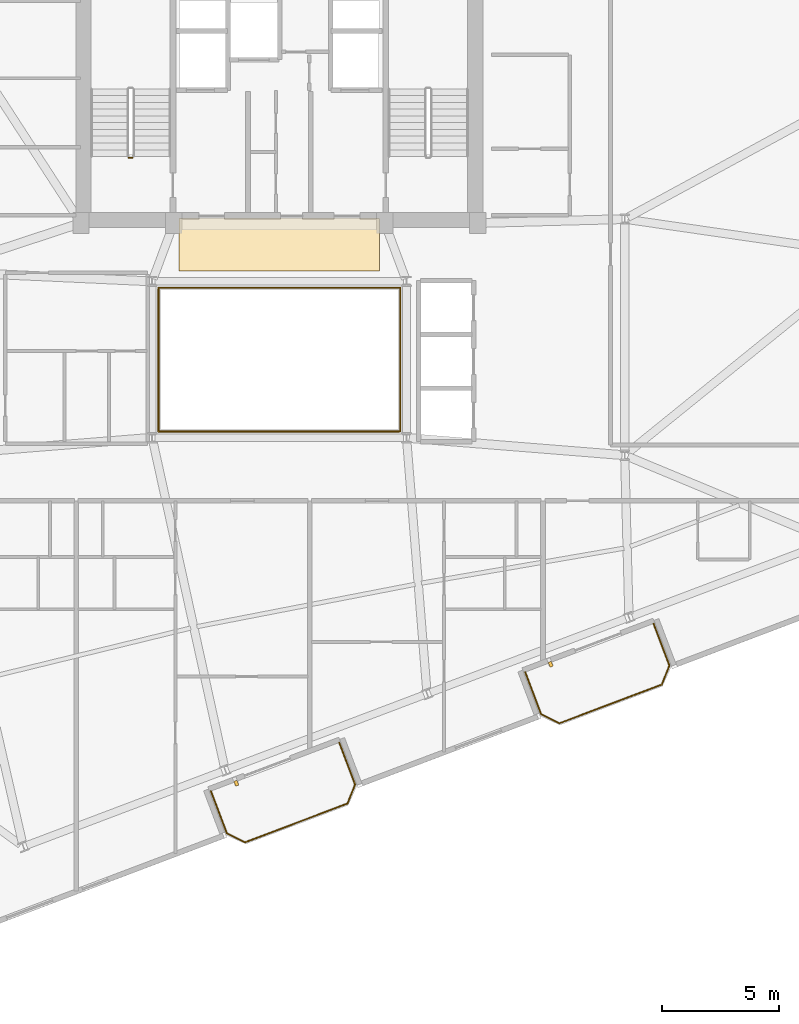
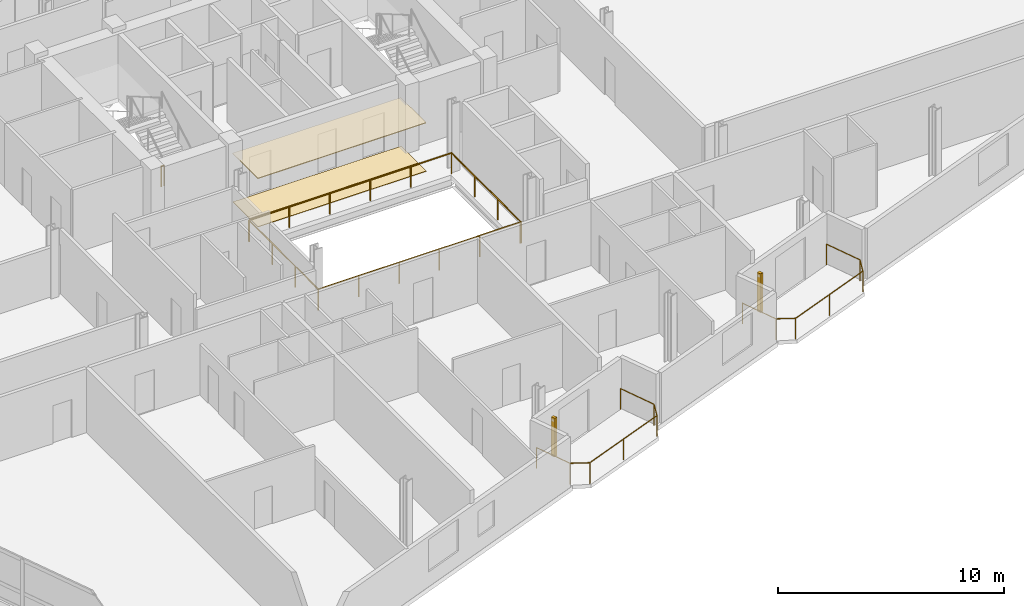
# One storey, part 19 of 20: 5 railings, 2 coverings, 2 shading devices.
"""IFC4 building model written with IfcOpenShell, lengths in metres."""

from ifc_helpers import new_model, si_unit, direction, frame, origin, origin_2d, place, context, subcontext, project, spatial, rectangle, circle, extrude, source, transform, mapped, material, layer, layer_set, type_object, element, save


model = new_model("IFC4")

# Units and contexts
model_context = context("Model", 3, precision=1e-05, world=origin(), true_north=direction((0.0, 1.0)))
body_context = subcontext(model_context, "Body", "Model", "MODEL_VIEW")
ifc_project = project(units=[si_unit("LENGTHUNIT", "METRE"), si_unit("AREAUNIT", "SQUARE_METRE"), si_unit("VOLUMEUNIT", "CUBIC_METRE"), si_unit("PLANEANGLEUNIT", "RADIAN"), si_unit("MASSUNIT", "GRAM", prefix="KILO")], contexts=[model_context])

# Site, building, storey
site_placement = place(None, origin())
site = spatial("IfcSite", under=ifc_project, at=site_placement, CompositionType="ELEMENT")
building_placement = place(site_placement, origin())
building = spatial("IfcBuilding", under=site, at=building_placement, Name="Varnelok Gate Tower", CompositionType="ELEMENT")
storey_placement = place(building_placement, frame((0.0, 0.0, 220.10009765625)))
storey = spatial("IfcBuildingStorey", under=building, at=storey_placement, Name="L56", CompositionType="ELEMENT", Elevation=220.10009765625)

# Railings
ifc_material_1 = material(Name="Tempered Laminated Balustrade Glass", Category="glass")
railing_type_1 = type_object("IfcRailingType", Name="RL-ATR-GUARD1150", PredefinedType="GUARDRAIL", material=ifc_material_1)
railing_1_placement = place(storey_placement, frame((34.02001953125, 25.929931640625, 0.0)))
element("IfcRailing", 1, at=railing_1_placement, inside=storey, type_object=railing_type_1, Name="L56 Internal Atrium South-West Guardrail", PredefinedType="GUARDRAIL", context=body_context, shape_type="SweptSolid", body=[
    extrude(circle(Radius=0.02392578125, at=origin_2d()), frame((0.0, 0.0, 1.1259765625), z_axis=(0.0, -1.0, 0.0), x_axis=(1.0, 0.0, 0.0)), (0.0, 0.0, 1.0), 6.10986328125),
    extrude(circle(Radius=0.02392578125, at=origin_2d()), frame((0.0, -6.10986328125, 1.1259765625), z_axis=(1.0, 0.0, 0.0), x_axis=(0.0, 1.0, 0.0)), (0.0, 0.0, 1.0), 10.31005859375),
    extrude(circle(Radius=0.02099609375, at=origin_2d()), origin(), (0.0, 0.0, 1.0), 1.101806640625),
    extrude(circle(Radius=0.02099609375, at=origin_2d()), frame((0.0, -2.03662109375, 0.0)), (0.0, 0.0, 1.0), 1.101806640625),
    extrude(circle(Radius=0.02099609375, at=origin_2d()), frame((0.0, -4.0732421875, 0.0)), (0.0, 0.0, 1.0), 1.101806640625),
    extrude(circle(Radius=0.02099609375, at=origin_2d()), frame((0.0, -6.10986328125, 0.0)), (0.0, 0.0, 1.0), 1.101806640625),
    extrude(circle(Radius=0.02099609375, at=origin_2d()), frame((2.06201171875, -6.10986328125, 0.0)), (0.0, 0.0, 1.0), 1.101806640625),
    extrude(circle(Radius=0.02099609375, at=origin_2d()), frame((4.1240234375, -6.10986328125, 0.0)), (0.0, 0.0, 1.0), 1.101806640625),
    extrude(circle(Radius=0.02099609375, at=origin_2d()), frame((6.18603515625, -6.10986328125, 0.0)), (0.0, 0.0, 1.0), 1.101806640625),
    extrude(circle(Radius=0.02099609375, at=origin_2d()), frame((8.248046875, -6.10986328125, 0.0)), (0.0, 0.0, 1.0), 1.101806640625),
    extrude(circle(Radius=0.02099609375, at=origin_2d()), frame((10.31005859375, -6.10986328125, 0.0)), (0.0, 0.0, 1.0), 1.101806640625),
])
railing_2_placement = place(storey_placement, frame((44.3798828125, 19.820068359375, 0.0)))
element("IfcRailing", 2, at=railing_2_placement, inside=storey, type_object=railing_type_1, Name="L56 Internal Atrium North-East Guardrail", PredefinedType="GUARDRAIL", context=body_context, shape_type="SweptSolid", body=[
    extrude(circle(Radius=0.02392578125, at=origin_2d()), frame((0.0, 0.0, 1.1259765625), z_axis=(0.0, 1.0, 0.0), x_axis=(-1.0, 0.0, 0.0)), (0.0, 0.0, 1.0), 6.159912109375),
    extrude(circle(Radius=0.02392578125, at=origin_2d()), frame((0.0, 6.159912109375, 1.1259765625), z_axis=(-1.0, 0.0, 0.0), x_axis=(0.0, -1.0, 0.0)), (0.0, 0.0, 1.0), 10.35986328125),
    extrude(circle(Radius=0.02099609375, at=origin_2d()), origin(), (0.0, 0.0, 1.0), 1.101806640625),
    extrude(circle(Radius=0.02099609375, at=origin_2d()), frame((0.0, 2.05322265625, 0.0)), (0.0, 0.0, 1.0), 1.101806640625),
    extrude(circle(Radius=0.02099609375, at=origin_2d()), frame((0.0, 4.106689453125, 0.0)), (0.0, 0.0, 1.0), 1.101806640625),
    extrude(circle(Radius=0.02099609375, at=origin_2d()), frame((0.0, 6.159912109375, 0.0)), (0.0, 0.0, 1.0), 1.101806640625),
    extrude(circle(Radius=0.02099609375, at=origin_2d()), frame((-2.072021484375, 6.159912109375, 0.0)), (0.0, 0.0, 1.0), 1.101806640625),
    extrude(circle(Radius=0.02099609375, at=origin_2d()), frame((-4.14404296875, 6.159912109375, 0.0)), (0.0, 0.0, 1.0), 1.101806640625),
    extrude(circle(Radius=0.02099609375, at=origin_2d()), frame((-6.2158203125, 6.159912109375, 0.0)), (0.0, 0.0, 1.0), 1.101806640625),
    extrude(circle(Radius=0.02099609375, at=origin_2d()), frame((-8.287841796875, 6.159912109375, 0.0)), (0.0, 0.0, 1.0), 1.101806640625),
    extrude(circle(Radius=0.02099609375, at=origin_2d()), frame((-10.35986328125, 6.159912109375, 0.0)), (0.0, 0.0, 1.0), 1.101806640625),
])
ifc_material_2 = material(Name="Low-E Laminated Double Glazing IGU", Category="glass")
railing_type_2 = type_object("IfcRailingType", Name="RL-BALC-1150", PredefinedType="BALUSTRADE", material=ifc_material_2)
railing_3_placement = place(storey_placement, frame((36.26708984375, 4.408203125, 0.0)))
element("IfcRailing", 3, at=railing_3_placement, inside=storey, type_object=railing_type_2, Name="L56 South Terrace Balustrade 1", PredefinedType="BALUSTRADE", context=body_context, shape_type="SweptSolid", body=[
    extrude(circle(Radius=0.02392578125, at=origin_2d()), frame((0.0, 0.0, 1.1259765625), z_axis=(0.354006333352, -0.935243025073, 0.0), x_axis=(0.935243025073, 0.354006333352, 0.0)), (0.0, 0.0, 1.0), 1.919921875),
    extrude(circle(Radius=0.02392578125, at=origin_2d()), frame((0.6796875, -1.795654296875, 1.1259765625), z_axis=(0.89078254773, -0.454429810487, 0.0), x_axis=(0.454429810487, 0.89078254773, 0.0)), (0.0, 0.0, 1.0), 0.8779296875),
    extrude(circle(Radius=0.02392578125, at=origin_2d()), frame((1.461669921875, -2.194580078125, 1.1259765625), z_axis=(0.935223045203, 0.354059113314, 0.0), x_axis=(-0.354059113314, 0.935223045203, 0.0)), (0.0, 0.0, 1.0), 4.699951171875),
    extrude(circle(Radius=0.02392578125, at=origin_2d()), frame((5.857177734375, -0.530517578125, 1.1259765625), z_axis=(0.366254584666, 0.930514685113, 0.0), x_axis=(-0.930514685113, 0.366254584666, 0.0)), (0.0, 0.0, 1.0), 0.8779296875),
    extrude(circle(Radius=0.02392578125, at=origin_2d()), frame((6.1787109375, 0.286376953125, 1.1259765625), z_axis=(-0.354048437536, 0.935227086797, 0.0), x_axis=(-0.935227086797, -0.354048437536, 0.0)), (0.0, 0.0, 1.0), 1.919677734375),
    extrude(circle(Radius=0.02099609375, at=origin_2d()), origin(), (0.0, 0.0, 1.0), 1.101806640625),
    extrude(circle(Radius=0.02099609375, at=origin_2d()), frame((0.6796875, -1.795654296875, 0.0)), (0.0, 0.0, 1.0), 1.101806640625),
    extrude(circle(Radius=0.02099609375, at=origin_2d()), frame((1.461669921875, -2.194580078125, 0.0)), (0.0, 0.0, 1.0), 1.101806640625),
    extrude(circle(Radius=0.02099609375, at=origin_2d()), frame((3.659423828125, -1.362548828125, 0.0)), (0.0, 0.0, 1.0), 1.101806640625),
    extrude(circle(Radius=0.02099609375, at=origin_2d()), frame((5.857177734375, -0.530517578125, 0.0)), (0.0, 0.0, 1.0), 1.101806640625),
    extrude(circle(Radius=0.02099609375, at=origin_2d()), frame((6.1787109375, 0.286376953125, 0.0)), (0.0, 0.0, 1.0), 1.101806640625),
    extrude(circle(Radius=0.02099609375, at=origin_2d()), frame((5.4990234375, 2.081787109375, 0.0)), (0.0, 0.0, 1.0), 1.101806640625),
])
railing_4_placement = place(storey_placement, frame((49.734130859375, 9.506591796875, 0.0)))
element("IfcRailing", 4, at=railing_4_placement, inside=storey, type_object=railing_type_2, Name="L56 South Terrace Balustrade 2", PredefinedType="BALUSTRADE", context=body_context, shape_type="SweptSolid", body=[
    extrude(circle(Radius=0.02392578125, at=origin_2d()), frame((0.0, 0.0, 1.1259765625), z_axis=(0.354159661475, -0.935184973245, 0.0), x_axis=(0.935184973245, 0.354159661475, 0.0)), (0.0, 0.0, 1.0), 1.919921875),
    extrude(circle(Radius=0.02392578125, at=origin_2d()), frame((0.679931640625, -1.79541015625, 1.1259765625), z_axis=(0.890612455555, -0.454763074589, 0.0), x_axis=(0.454763074589, 0.890612455555, 0.0)), (0.0, 0.0, 1.0), 0.877685546875),
    extrude(circle(Radius=0.02392578125, at=origin_2d()), frame((1.461669921875, -2.194580078125, 1.1259765625), z_axis=(0.935212356898, 0.354087344458, 0.0), x_axis=(-0.354087344458, 0.935212356898, 0.0)), (0.0, 0.0, 1.0), 4.7001953125),
    extrude(circle(Radius=0.02392578125, at=origin_2d()), frame((5.857421875, -0.5302734375, 1.1259765625), z_axis=(0.366349384437, 0.930477365938, 0.0), x_axis=(-0.930477365938, 0.366349384437, 0.0)), (0.0, 0.0, 1.0), 0.877685546875),
    extrude(circle(Radius=0.02392578125, at=origin_2d()), frame((6.178955078125, 0.286376953125, 1.1259765625), z_axis=(-0.354006333352, 0.935243025073, 0.0), x_axis=(-0.935243025073, -0.354006333352, 0.0)), (0.0, 0.0, 1.0), 1.919921875),
    extrude(circle(Radius=0.02099609375, at=origin_2d()), origin(), (0.0, 0.0, 1.0), 1.101806640625),
    extrude(circle(Radius=0.02099609375, at=origin_2d()), frame((0.679931640625, -1.79541015625, 0.0)), (0.0, 0.0, 1.0), 1.101806640625),
    extrude(circle(Radius=0.02099609375, at=origin_2d()), frame((1.461669921875, -2.194580078125, 0.0)), (0.0, 0.0, 1.0), 1.101806640625),
    extrude(circle(Radius=0.02099609375, at=origin_2d()), frame((3.65966796875, -1.3623046875, 0.0)), (0.0, 0.0, 1.0), 1.101806640625),
    extrude(circle(Radius=0.02099609375, at=origin_2d()), frame((5.857421875, -0.5302734375, 0.0)), (0.0, 0.0, 1.0), 1.101806640625),
    extrude(circle(Radius=0.02099609375, at=origin_2d()), frame((6.178955078125, 0.286376953125, 0.0)), (0.0, 0.0, 1.0), 1.101806640625),
    extrude(circle(Radius=0.02099609375, at=origin_2d()), frame((5.499267578125, 2.08203125, 0.0)), (0.0, 0.0, 1.0), 1.101806640625),
])
ifc_material_3 = material(Name="Galvanized Steel Grade S350GD", Category="steel")
railing_type_3 = type_object("IfcRailingType", Name="RL-STAIR-GUARD1120", PredefinedType="GUARDRAIL", material=ifc_material_3)
railing_5_placement = place(storey_placement, frame((32.89990234375, 31.550048828125, 0.0)))
element("IfcRailing", 5, at=railing_5_placement, inside=storey, type_object=railing_type_3, Name="L56 ST-1 stair guard 4", PredefinedType="GUARDRAIL", context=body_context, shape_type="SweptSolid", body=[
    extrude(circle(Radius=0.02392578125, at=origin_2d()), frame((0.0, 0.0, 1.09619140625), z_axis=(-1.0, 0.0, 0.0), x_axis=(0.0, -1.0, 0.0)), (0.0, 0.0, 1.0), 0.14990234375),
    extrude(circle(Radius=0.02099609375, at=origin_2d()), origin(), (0.0, 0.0, 1.0), 1.072021484375),
    extrude(circle(Radius=0.02099609375, at=origin_2d()), frame((-0.14990234375, 0.0, 0.0)), (0.0, 0.0, 1.0), 1.072021484375),
])

# Shading devices
ifc_material_4 = material(Name="Glazed Architectural Terracotta Ceramic", Category="masonry")
shading_device_type = type_object("IfcShadingDeviceType", Name="SHD-TERRA-BAGUETTE", PredefinedType="USERDEFINED", material=ifc_material_4)
shared_shape_1 = source(origin(), body_context, "Body", "SweptSolid", [
    extrude(rectangle(XDim=0.139892578125, YDim=0.219970703125, at=origin_2d()), origin(), (0.0, 0.0, 1.0), 2.10009765625),
])
for number, where, z_axis, x_axis, name in (
    (6, (37.35791015625, 4.746337890625, 0.099853515625), (0.0, 0.0, 1.0), (0.935221751401, 0.354062530786, 0.0), "L56 Terracotta Ceramic Baguette Sunscreen 1.1"),
    (7, (50.8251953125, 9.844970703125, 0.099853515625), (0.0, 0.0, 1.0), (0.935221751401, 0.354062530786, 0.0), "L56 Terracotta Ceramic Baguette Sunscreen 2.1"),
):
    element("IfcShadingDevice", number, at=place(storey_placement, frame(where, z_axis=z_axis, x_axis=x_axis)), inside=storey, type_object=shading_device_type, Name=name, ObjectType="BAGUETTE", PredefinedType="USERDEFINED", context=body_context, shape_type="MappedRepresentation", body=[
        mapped(shared_shape_1, transform((0.0, 0.0, 0.0), scale=1.0)),
    ])

# Coverings
ifc_material_5 = material(Name="Honed Travertine Stone Flooring", Category="masonry")
ifc_layer_1 = layer(ifc_material_5, 0.02490234375)
ifc_layer_set_1 = layer_set([ifc_layer_1], Name="Honed Travertine Stone Flooring")
covering_type_1 = type_object("IfcCoveringType", Name="COV-FLOR-STONE", PredefinedType="FLOORING", material=ifc_layer_set_1)
shared_shape_2 = source(origin(), body_context, "Body", "SweptSolid", [
    extrude(rectangle(XDim=8.60009765625, YDim=2.219970703125, at=origin_2d()), origin(), (0.0, 0.0, 1.0), 0.02490234375),
])
covering_1_placement = place(storey_placement, frame((39.199951171875, 27.800048828125, 0.0), z_axis=(0.0, 0.0, 1.0), x_axis=(1.0, 0.0, 0.0)))
element("IfcCovering", 8, at=covering_1_placement, inside=storey, type_object=covering_type_1, Name="L56 Core Gallery Stone Flooring", PredefinedType="FLOORING", context=body_context, shape_type="MappedRepresentation", body=[
    mapped(shared_shape_2, transform((0.0, 0.0, 0.0), scale=1.0)),
])
ifc_material_6 = material(Name="Mineral Fiber Acoustic Ceiling Tile")
ifc_layer_2 = layer(ifc_material_6, 0.0400390625)
ifc_layer_set_2 = layer_set([ifc_layer_2], Name="Mineral Fiber Acoustic Ceiling Tile")
covering_type_2 = type_object("IfcCoveringType", Name="COV-CEIL-ACOUST", PredefinedType="CEILING", material=ifc_layer_set_2)
shared_shape_3 = source(origin(), body_context, "Body", "SweptSolid", [
    extrude(rectangle(XDim=8.60009765625, YDim=2.239990234375, at=origin_2d()), origin(), (0.0, 0.0, 1.0), 0.0400390625),
])
covering_2_placement = place(storey_placement, frame((39.199951171875, 27.820068359375, 2.599853515625), z_axis=(0.0, 0.0, 1.0), x_axis=(1.0, 0.0, 0.0)))
element("IfcCovering", 9, at=covering_2_placement, inside=storey, type_object=covering_type_2, Name="L56 Core Gallery Acoustic Ceiling", PredefinedType="CEILING", context=body_context, shape_type="MappedRepresentation", body=[
    mapped(shared_shape_3, transform((0.0, 0.0, 0.0), scale=1.0)),
])

save(model, "model.ifc")
